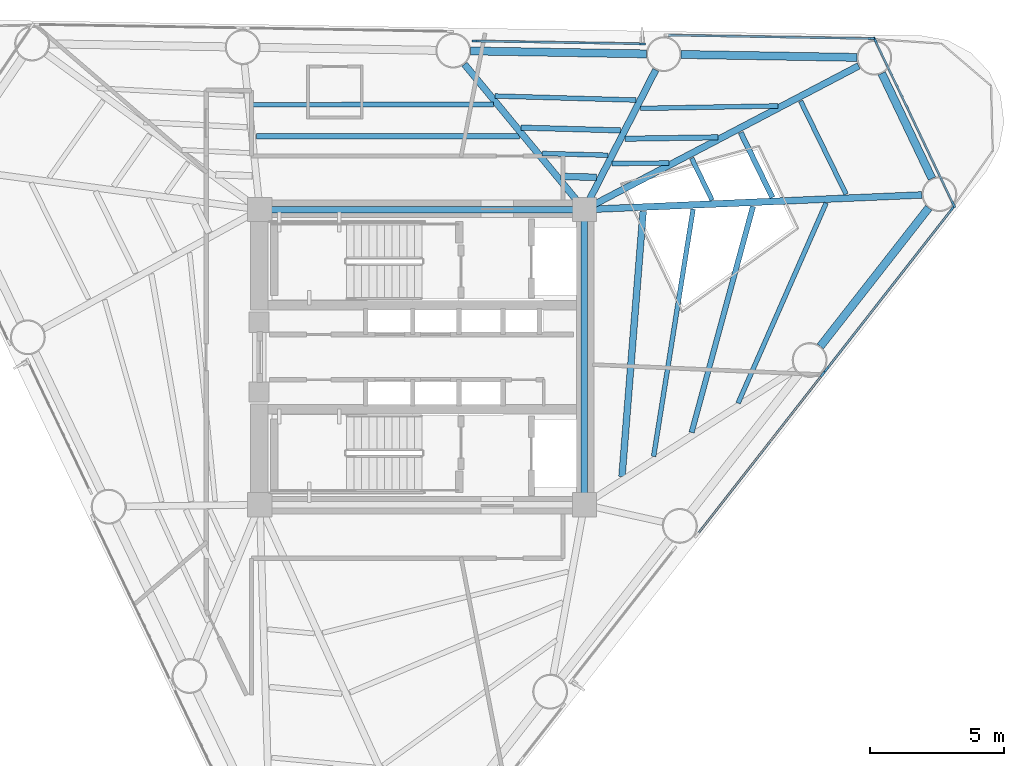
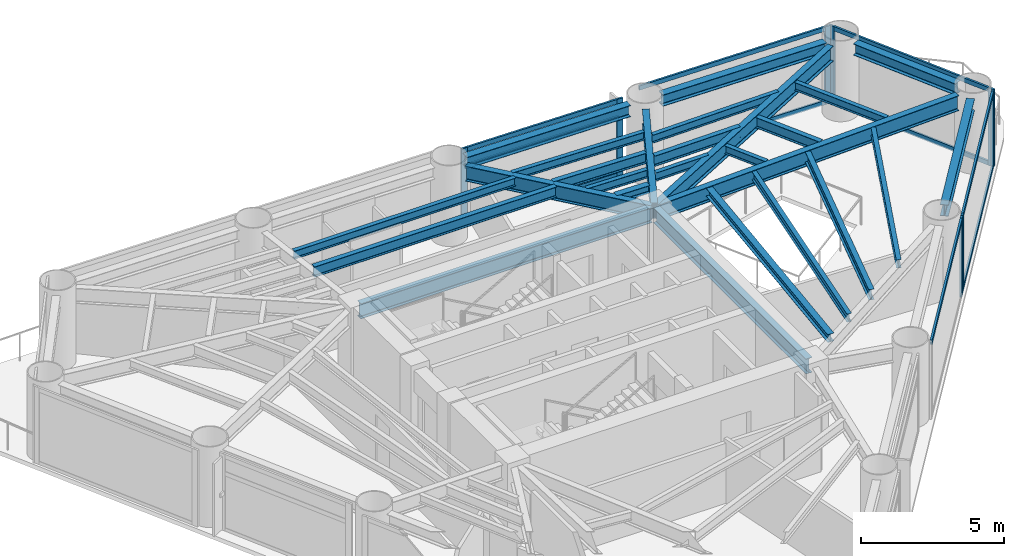
# One storey, part 4 of 11: 26 beams, 18 members, 5 elements without a shape of their own.
"""IFC4 building model written with IfcOpenShell, lengths in metres."""

from ifc_helpers import new_model, si_unit, direction, frame, origin, origin_2d, place, context, subcontext, project, spatial, rectangle, i_section, extrude, source, transform, mapped, material, layer, layer_set, material_profile, profile_set, type_object, element, aggregate, save


model = new_model("IFC4")

# Units and contexts
model_context = context("Model", 3, precision=1e-05, world=origin(), true_north=direction((0.0, 1.0)))
body_context = subcontext(model_context, "Body", "Model", "MODEL_VIEW")
ifc_project = project(units=[si_unit("LENGTHUNIT", "METRE"), si_unit("AREAUNIT", "SQUARE_METRE"), si_unit("VOLUMEUNIT", "CUBIC_METRE"), si_unit("PLANEANGLEUNIT", "RADIAN"), si_unit("MASSUNIT", "GRAM", prefix="KILO")], contexts=[model_context])

# Site, building, storey
site_placement = place(None, origin())
site = spatial("IfcSite", under=ifc_project, at=site_placement, CompositionType="ELEMENT")
building_placement = place(site_placement, origin())
building = spatial("IfcBuilding", under=site, at=building_placement, Name="Yunling Apex Tower", CompositionType="ELEMENT")
storey_placement = place(building_placement, frame((0.0, 0.0, 150.199951171875)))
storey = spatial("IfcBuildingStorey", under=building, at=storey_placement, Name="L37", CompositionType="ELEMENT", Elevation=150.199951171875)

# Beams
ifc_material_1 = material(Name="Steel Q355B", Category="steel")
ifc_material_profile_1 = material_profile(ifc_material_1, i_section(OverallWidth=0.25, OverallDepth=0.64990234375, WebThickness=0.011962890625, FlangeThickness=0.02001953125, FilletRadius=0.02392578125, at=origin_2d()))
ifc_profile_set_1 = profile_set([ifc_material_profile_1], Name="Steel Q355B")
beam_type_1 = type_object("IfcBeamType", Name="BG-PRI-4", PredefinedType="USERDEFINED", material=ifc_profile_set_1)
shared_shape_1 = source(origin(), body_context, "Body", "SweptSolid", [
    extrude(i_section(OverallWidth=0.25, OverallDepth=0.64990234375, WebThickness=0.011962890625, FlangeThickness=0.02001953125, FilletRadius=0.02392578125, at=origin_2d()), origin(), (0.0, 0.0, 1.0), 11.7998046875),
])
beam_1_placement = place(storey_placement, frame((5.89990234375, 5.5, 2.905029296875), z_axis=(-1.0, 0.0, 0.0), x_axis=(0.0, -1.0, 0.0)))
element("IfcBeam", 1, at=beam_1_placement, inside=storey, type_object=beam_type_1, Name="L37 Core Ring Tie Beam 3", ObjectType="GIRDER", PredefinedType="USERDEFINED", context=body_context, shape_type="MappedRepresentation", body=[
    mapped(shared_shape_1, transform((0.0, 0.0, 0.0), scale=1.0)),
])
shared_shape_2 = source(origin(), body_context, "Body", "SweptSolid", [
    extrude(i_section(OverallWidth=0.25, OverallDepth=0.64990234375, WebThickness=0.011962890625, FlangeThickness=0.02001953125, FilletRadius=0.02392578125, at=origin_2d()), origin(), (0.0, 0.0, 1.0), 10.7001953125),
])
beam_2_placement = place(storey_placement, frame((6.050048828125, -5.35009765625, 2.905029296875), z_axis=(0.0, 1.0, 0.0), x_axis=(-1.0, 0.0, 0.0)))
element("IfcBeam", 2, at=beam_2_placement, inside=storey, type_object=beam_type_1, Name="L37 Core Ring Tie Beam 2", ObjectType="GIRDER", PredefinedType="USERDEFINED", context=body_context, shape_type="MappedRepresentation", body=[
    mapped(shared_shape_2, transform((0.0, 0.0, 0.0), scale=1.0)),
])
ifc_material_profile_2 = material_profile(ifc_material_1, i_section(OverallWidth=0.300048828125, OverallDepth=0.489990234375, WebThickness=0.010986328125, FlangeThickness=0.01806640625, FilletRadius=0.02197265625, at=origin_2d()))
ifc_profile_set_2 = profile_set([ifc_material_profile_2], Name="Steel Q355B")
beam_type_2 = type_object("IfcBeamType", Name="BP-SPN-2", PredefinedType="SPANDREL", material=ifc_profile_set_2)
shared_shape_3 = source(origin(), body_context, "Body", "SweptSolid", [
    extrude(i_section(OverallWidth=0.300048828125, OverallDepth=0.489990234375, WebThickness=0.010986328125, FlangeThickness=0.01806640625, FilletRadius=0.02197265625, at=origin_2d()), origin(), (0.0, 0.0, 1.0), 6.562255859375),
])
for number, where, z_axis, x_axis, name in (
    (3, (14.8447265625, 0.400390625, 2.985107421875), (0.616196907529, 0.787592135024, 0.0), (-0.787592135024, 0.616196907529, 0.0), "L37 Perimeter Spandrel Beam 4"),
    (4, (16.214599609375, 11.174560546875, 2.985107421875), (-0.999859845587, 0.016741839275, 0.0), (-0.016741839275, -0.999859845587, 0.0), "L37 Perimeter Spandrel Beam 6"),
):
    element("IfcBeam", number, at=place(storey_placement, frame(where, z_axis=z_axis, x_axis=x_axis)), inside=storey, type_object=beam_type_2, Name=name, PredefinedType="SPANDREL", context=body_context, shape_type="MappedRepresentation", body=[
        mapped(shared_shape_3, transform((0.0, 0.0, 0.0), scale=1.0)),
    ])
shared_shape_4 = source(origin(), body_context, "Body", "SweptSolid", [
    extrude(i_section(OverallWidth=0.300048828125, OverallDepth=0.489990234375, WebThickness=0.010986328125, FlangeThickness=0.01806640625, FilletRadius=0.02197265625, at=origin_2d()), origin(), (0.0, 0.0, 1.0), 6.56201171875),
])
beam_3_placement = place(storey_placement, frame((8.365478515625, 11.305908203125, 2.985107421875), z_axis=(-0.999859211643, 0.016779657083, 0.0), x_axis=(-0.016779657083, -0.999859211643, 0.0)))
element("IfcBeam", 5, at=beam_3_placement, inside=storey, type_object=beam_type_2, Name="L37 Perimeter Spandrel Beam 7", PredefinedType="SPANDREL", context=body_context, shape_type="MappedRepresentation", body=[
    mapped(shared_shape_4, transform((0.0, 0.0, 0.0), scale=1.0)),
])
shared_shape_5 = source(origin(), body_context, "Body", "SweptSolid", [
    extrude(i_section(OverallWidth=0.300048828125, OverallDepth=0.489990234375, WebThickness=0.010986328125, FlangeThickness=0.01806640625, FilletRadius=0.02197265625, at=origin_2d()), origin(), (0.0, 0.0, 1.0), 4.348876953125),
])
beam_4_placement = place(storey_placement, frame((19.0078125, 6.6572265625, 2.985107421875), z_axis=(-0.430473932145, 0.902603010046, 0.0), x_axis=(-0.902603010046, -0.430473932145, 0.0)))
element("IfcBeam", 6, at=beam_4_placement, inside=storey, type_object=beam_type_2, Name="L37 Perimeter Spandrel Beam 5", PredefinedType="SPANDREL", context=body_context, shape_type="MappedRepresentation", body=[
    mapped(shared_shape_5, transform((0.0, 0.0, 0.0), scale=1.0)),
])
shared_shape_6 = source(origin(), body_context, "Body", "SweptSolid", [
    extrude(i_section(OverallWidth=0.25, OverallDepth=0.64990234375, WebThickness=0.011962890625, FlangeThickness=0.02001953125, FilletRadius=0.02392578125, at=origin_2d()), origin(), (0.0, 0.0, 1.0), 5.76904296875),
])
beam_5_placement = place(storey_placement, frame((8.710205078125, 10.709228515625, 2.905029296875), z_axis=(-0.454797867462, -0.890594688819, 0.0), x_axis=(0.890594688819, -0.454797867462, 0.0)))
element("IfcBeam", 7, at=beam_5_placement, inside=storey, type_object=beam_type_1, Name="L37 Radial Primary Girder R07", ObjectType="GIRDER", PredefinedType="USERDEFINED", context=body_context, shape_type="MappedRepresentation", body=[
    mapped(shared_shape_6, transform((0.0, 0.0, 0.0), scale=1.0)),
])
shared_shape_7 = source(origin(), body_context, "Body", "SweptSolid", [
    extrude(i_section(OverallWidth=0.25, OverallDepth=0.64990234375, WebThickness=0.011962890625, FlangeThickness=0.02001953125, FilletRadius=0.02392578125, at=origin_2d()), origin(), (0.0, 0.0, 1.0), 6.9453125),
])
beam_6_placement = place(storey_placement, frame((1.5791015625, 10.919189453125, 2.905029296875), z_axis=(0.636387137961, -0.771369827409, 0.0), x_axis=(0.771369827409, 0.636387137961, 0.0)))
element("IfcBeam", 8, at=beam_6_placement, inside=storey, type_object=beam_type_1, Name="L37 Radial Primary Girder R08", ObjectType="GIRDER", PredefinedType="USERDEFINED", context=body_context, shape_type="MappedRepresentation", body=[
    mapped(shared_shape_7, transform((0.0, 0.0, 0.0), scale=1.0)),
])
ifc_material_profile_3 = material_profile(ifc_material_1, i_section(OverallWidth=0.25, OverallDepth=0.340087890625, WebThickness=0.009033203125, FlangeThickness=0.013916015625, FilletRadius=0.01806640625, at=origin_2d()))
ifc_profile_set_3 = profile_set([ifc_material_profile_3], Name="Steel Q355B")
beam_type_3 = type_object("IfcBeamType", Name="BJ-JST-2", PredefinedType="JOIST", material=ifc_profile_set_3)
shared_shape_8 = source(origin(), body_context, "Body", "SweptSolid", [
    extrude(i_section(OverallWidth=0.25, OverallDepth=0.340087890625, WebThickness=0.009033203125, FlangeThickness=0.013916015625, FilletRadius=0.01806640625, at=origin_2d()), origin(), (0.0, 0.0, 1.0), 1.3173828125),
])
beam_7_placement = place(storey_placement, frame((6.503662109375, 6.705322265625, 3.06005859375), z_axis=(-0.999718560735, 0.023723391875, 0.0), x_axis=(-0.023723391875, -0.999718560735, 0.0)))
element("IfcBeam", 9, at=beam_7_placement, inside=storey, type_object=beam_type_3, Name="L37 Composite Floor Joist BJ2-7", PredefinedType="JOIST", context=body_context, shape_type="MappedRepresentation", body=[
    mapped(shared_shape_8, transform((0.0, 0.0, 0.0), scale=1.0)),
])
ifc_material_profile_4 = material_profile(ifc_material_1, i_section(OverallWidth=0.175048828125, OverallDepth=0.35009765625, WebThickness=0.007080078125, FlangeThickness=0.010986328125, FilletRadius=0.013916015625, at=origin_2d()))
ifc_profile_set_4 = profile_set([ifc_material_profile_4], Name="Steel Q355B")
beam_type_4 = type_object("IfcBeamType", Name="BJ-JST-1", PredefinedType="JOIST", material=ifc_profile_set_4)
shared_shape_9 = source(origin(), body_context, "Body", "SweptSolid", [
    extrude(i_section(OverallWidth=0.175048828125, OverallDepth=0.35009765625, WebThickness=0.007080078125, FlangeThickness=0.010986328125, FilletRadius=0.013916015625, at=origin_2d()), origin(), (0.0, 0.0, 1.0), 8.959228515625),
])
beam_8_placement = place(storey_placement, frame((2.65673828125, 9.4189453125, 3.054931640625), z_axis=(-0.99999980359, -0.000626754107, 0.0), x_axis=(0.000626754107, -0.99999980359, 0.0)))
element("IfcBeam", 10, at=beam_8_placement, inside=storey, type_object=beam_type_4, Name="L37 Composite Floor Joist BJ1-8", PredefinedType="JOIST", context=body_context, shape_type="MappedRepresentation", body=[
    mapped(shared_shape_9, transform((0.0, 0.0, 0.0), scale=1.0)),
])
shared_shape_10 = source(origin(), body_context, "Body", "SweptSolid", [
    extrude(i_section(OverallWidth=0.25, OverallDepth=0.64990234375, WebThickness=0.011962890625, FlangeThickness=0.02001953125, FilletRadius=0.02392578125, at=origin_2d()), origin(), (0.0, 0.0, 1.0), 12.509521484375),
])
beam_9_placement = place(storey_placement, frame((18.627685546875, 6.04736328125, 2.905029296875), z_axis=(-0.999054205726, -0.043482111511, 0.0), x_axis=(0.043482111511, -0.999054205726, 0.0)))
element("IfcBeam", 11, at=beam_9_placement, inside=storey, type_object=beam_type_1, Name="L37 Radial Primary Girder R05", ObjectType="GIRDER", PredefinedType="USERDEFINED", context=body_context, shape_type="MappedRepresentation", body=[
    mapped(shared_shape_10, transform((0.0, 0.0, 0.0), scale=1.0)),
])
shared_shape_11 = source(origin(), body_context, "Body", "SweptSolid", [
    extrude(i_section(OverallWidth=0.25, OverallDepth=0.64990234375, WebThickness=0.011962890625, FlangeThickness=0.02001953125, FilletRadius=0.02392578125, at=origin_2d()), origin(), (0.0, 0.0, 1.0), 11.464599609375),
])
beam_10_placement = place(storey_placement, frame((16.275634765625, 10.8583984375, 2.905029296875), z_axis=(-0.885755663761, -0.464151811496, 0.0), x_axis=(0.464151811496, -0.885755663761, 0.0)))
element("IfcBeam", 12, at=beam_10_placement, inside=storey, type_object=beam_type_1, Name="L37 Radial Primary Girder R06", ObjectType="GIRDER", PredefinedType="USERDEFINED", context=body_context, shape_type="MappedRepresentation", body=[
    mapped(shared_shape_11, transform((0.0, 0.0, 0.0), scale=1.0)),
])
ifc_material_profile_5 = material_profile(ifc_material_1, i_section(OverallWidth=0.199951171875, OverallDepth=0.449951171875, WebThickness=0.009033203125, FlangeThickness=0.013916015625, FilletRadius=0.01806640625, at=origin_2d()))
ifc_profile_set_5 = profile_set([ifc_material_profile_5], Name="Steel Q355B")
beam_type_5 = type_object("IfcBeamType", Name="BS-SEC-3", PredefinedType="BEAM", material=ifc_profile_set_5)
shared_shape_12 = source(origin(), body_context, "Body", "SweptSolid", [
    extrude(i_section(OverallWidth=0.199951171875, OverallDepth=0.449951171875, WebThickness=0.009033203125, FlangeThickness=0.013916015625, FilletRadius=0.01806640625, at=origin_2d()), origin(), (0.0, 0.0, 1.0), 8.731689453125),
])
beam_11_placement = place(storey_placement, frame((10.047607421875, -2.80517578125, 3.005126953125), z_axis=(0.262182766541, 0.965018236578, 0.0), x_axis=(-0.965018236578, 0.262182766541, 0.0)))
element("IfcBeam", 13, at=beam_11_placement, inside=storey, type_object=beam_type_5, Name="L37 Composite Floor Beam BS-4", PredefinedType="BEAM", context=body_context, shape_type="MappedRepresentation", body=[
    mapped(shared_shape_12, transform((0.0, 0.0, 0.0), scale=1.0)),
])
shared_shape_13 = source(origin(), body_context, "Body", "SweptSolid", [
    extrude(i_section(OverallWidth=0.175048828125, OverallDepth=0.35009765625, WebThickness=0.007080078125, FlangeThickness=0.010986328125, FilletRadius=0.013916015625, at=origin_2d()), origin(), (0.0, 0.0, 1.0), 8.1533203125),
])
beam_12_placement = place(storey_placement, frame((11.781005859375, -1.71435546875, 3.054931640625), z_axis=(0.402654320351, 0.915352117113, 0.0), x_axis=(-0.915352117113, 0.402654320351, 0.0)))
element("IfcBeam", 14, at=beam_12_placement, inside=storey, type_object=beam_type_4, Name="L37 Composite Floor Joist BJ1-4", PredefinedType="JOIST", context=body_context, shape_type="MappedRepresentation", body=[
    mapped(shared_shape_13, transform((0.0, 0.0, 0.0), scale=1.0)),
])
shared_shape_14 = source(origin(), body_context, "Body", "SweptSolid", [
    extrude(i_section(OverallWidth=0.175048828125, OverallDepth=0.35009765625, WebThickness=0.007080078125, FlangeThickness=0.010986328125, FilletRadius=0.013916015625, at=origin_2d()), origin(), (0.0, 0.0, 1.0), 9.337158203125),
])
beam_13_placement = place(storey_placement, frame((8.631103515625, -3.70068359375, 3.054931640625), z_axis=(0.157746767397, 0.987479598461, 0.0), x_axis=(-0.987479598461, 0.157746767397, 0.0)))
element("IfcBeam", 15, at=beam_13_placement, inside=storey, type_object=beam_type_4, Name="L37 Composite Floor Joist BJ3-4", PredefinedType="JOIST", context=body_context, shape_type="MappedRepresentation", body=[
    mapped(shared_shape_14, transform((0.0, 0.0, 0.0), scale=1.0)),
])
shared_shape_15 = source(origin(), body_context, "Body", "SweptSolid", [
    extrude(i_section(OverallWidth=0.25, OverallDepth=0.340087890625, WebThickness=0.009033203125, FlangeThickness=0.013916015625, FilletRadius=0.01806640625, at=origin_2d()), origin(), (0.0, 0.0, 1.0), 9.916259765625),
])
beam_14_placement = place(storey_placement, frame((7.4521484375, -4.4482421875, 3.06005859375), z_axis=(0.079621924657, 0.996825134672, 0.0), x_axis=(-0.996825134672, 0.079621924657, 0.0)))
element("IfcBeam", 16, at=beam_14_placement, inside=storey, type_object=beam_type_3, Name="L37 Composite Floor Joist BJ2-4", PredefinedType="JOIST", context=body_context, shape_type="MappedRepresentation", body=[
    mapped(shared_shape_15, transform((0.0, 0.0, 0.0), scale=1.0)),
])
shared_shape_16 = source(origin(), body_context, "Body", "SweptSolid", [
    extrude(i_section(OverallWidth=0.199951171875, OverallDepth=0.449951171875, WebThickness=0.009033203125, FlangeThickness=0.013916015625, FilletRadius=0.01806640625, at=origin_2d()), origin(), (0.0, 0.0, 1.0), 2.694091796875),
])
beam_15_placement = place(storey_placement, frame((13.05859375, 5.951904296875, 3.005126953125), z_axis=(-0.43834685503, 0.898805893775, 0.0), x_axis=(-0.898805893775, -0.43834685503, 0.0)))
element("IfcBeam", 17, at=beam_15_placement, inside=storey, type_object=beam_type_5, Name="L37 Composite Floor Beam BS-5", PredefinedType="BEAM", context=body_context, shape_type="MappedRepresentation", body=[
    mapped(shared_shape_16, transform((0.0, 0.0, 0.0), scale=1.0)),
])
shared_shape_17 = source(origin(), body_context, "Body", "SweptSolid", [
    extrude(i_section(OverallWidth=0.175048828125, OverallDepth=0.35009765625, WebThickness=0.007080078125, FlangeThickness=0.010986328125, FilletRadius=0.013916015625, at=origin_2d()), origin(), (0.0, 0.0, 1.0), 3.864501953125),
])
beam_16_placement = place(storey_placement, frame((15.80810546875, 6.071533203125, 3.054931640625), z_axis=(-0.438931380823, 0.898520585701, 0.0), x_axis=(-0.898520585701, -0.438931380823, 0.0)))
element("IfcBeam", 18, at=beam_16_placement, inside=storey, type_object=beam_type_4, Name="L37 Composite Floor Joist BJ1-5", PredefinedType="JOIST", context=body_context, shape_type="MappedRepresentation", body=[
    mapped(shared_shape_17, transform((0.0, 0.0, 0.0), scale=1.0)),
])
shared_shape_18 = source(origin(), body_context, "Body", "SweptSolid", [
    extrude(i_section(OverallWidth=0.175048828125, OverallDepth=0.35009765625, WebThickness=0.007080078125, FlangeThickness=0.010986328125, FilletRadius=0.013916015625, at=origin_2d()), origin(), (0.0, 0.0, 1.0), 1.736083984375),
])
beam_17_placement = place(storey_placement, frame((10.80908203125, 5.85400390625, 3.054931640625), z_axis=(-0.437342782369, 0.89929488529, 0.0), x_axis=(-0.89929488529, -0.437342782369, 0.0)))
element("IfcBeam", 19, at=beam_17_placement, inside=storey, type_object=beam_type_4, Name="L37 Composite Floor Joist BJ3-5", PredefinedType="JOIST", context=body_context, shape_type="MappedRepresentation", body=[
    mapped(shared_shape_18, transform((0.0, 0.0, 0.0), scale=1.0)),
])
shared_shape_19 = source(origin(), body_context, "Body", "SweptSolid", [
    extrude(i_section(OverallWidth=0.199951171875, OverallDepth=0.449951171875, WebThickness=0.009033203125, FlangeThickness=0.013916015625, FilletRadius=0.01806640625, at=origin_2d()), origin(), (0.0, 0.0, 1.0), 3.480712890625),
])
beam_18_placement = place(storey_placement, frame((11.038330078125, 8.1953125, 3.005126953125), z_axis=(-0.999885219454, -0.015150838822, 0.0), x_axis=(0.015150838822, -0.999885219454, 0.0)))
element("IfcBeam", 20, at=beam_18_placement, inside=storey, type_object=beam_type_5, Name="L37 Composite Floor Beam BS-6", PredefinedType="BEAM", context=body_context, shape_type="MappedRepresentation", body=[
    mapped(shared_shape_19, transform((0.0, 0.0, 0.0), scale=1.0)),
])
shared_shape_20 = source(origin(), body_context, "Body", "SweptSolid", [
    extrude(i_section(OverallWidth=0.175048828125, OverallDepth=0.35009765625, WebThickness=0.007080078125, FlangeThickness=0.010986328125, FilletRadius=0.013916015625, at=origin_2d()), origin(), (0.0, 0.0, 1.0), 5.137451171875),
])
beam_19_placement = place(storey_placement, frame((13.272216796875, 9.365478515625, 3.054931640625), z_axis=(-0.999839506787, -0.017915375193, 0.0), x_axis=(0.017915375193, -0.999839506787, 0.0)))
element("IfcBeam", 21, at=beam_19_placement, inside=storey, type_object=beam_type_4, Name="L37 Composite Floor Joist BJ1-6", PredefinedType="JOIST", context=body_context, shape_type="MappedRepresentation", body=[
    mapped(shared_shape_20, transform((0.0, 0.0, 0.0), scale=1.0)),
])
shared_shape_21 = source(origin(), body_context, "Body", "SweptSolid", [
    extrude(i_section(OverallWidth=0.175048828125, OverallDepth=0.35009765625, WebThickness=0.007080078125, FlangeThickness=0.010986328125, FilletRadius=0.013916015625, at=origin_2d()), origin(), (0.0, 0.0, 1.0), 2.12451171875),
])
beam_20_placement = place(storey_placement, frame((9.21044921875, 7.23828125, 3.054931640625), z_axis=(-0.999950026727, -0.00999720206, 0.0), x_axis=(0.00999720206, -0.999950026727, 0.0)))
element("IfcBeam", 22, at=beam_20_placement, inside=storey, type_object=beam_type_4, Name="L37 Composite Floor Joist BJ3-6", PredefinedType="JOIST", context=body_context, shape_type="MappedRepresentation", body=[
    mapped(shared_shape_21, transform((0.0, 0.0, 0.0), scale=1.0)),
])
shared_shape_22 = source(origin(), body_context, "Body", "SweptSolid", [
    extrude(i_section(OverallWidth=0.199951171875, OverallDepth=0.449951171875, WebThickness=0.009033203125, FlangeThickness=0.013916015625, FilletRadius=0.01806640625, at=origin_2d()), origin(), (0.0, 0.0, 1.0), 3.71337890625),
])
beam_21_placement = place(storey_placement, frame((7.395751953125, 8.452880859375, 3.005126953125), z_axis=(-0.999604010385, 0.028139339414, 0.0), x_axis=(-0.028139339414, -0.999604010385, 0.0)))
element("IfcBeam", 23, at=beam_21_placement, inside=storey, type_object=beam_type_5, Name="L37 Composite Floor Beam BS-7", PredefinedType="BEAM", context=body_context, shape_type="MappedRepresentation", body=[
    mapped(shared_shape_22, transform((0.0, 0.0, 0.0), scale=1.0)),
])
shared_shape_23 = source(origin(), body_context, "Body", "SweptSolid", [
    extrude(i_section(OverallWidth=0.175048828125, OverallDepth=0.35009765625, WebThickness=0.007080078125, FlangeThickness=0.010986328125, FilletRadius=0.013916015625, at=origin_2d()), origin(), (0.0, 0.0, 1.0), 5.263671875),
])
beam_22_placement = place(storey_placement, frame((7.972900390625, 9.58349609375, 3.054931640625), z_axis=(-0.999581079743, 0.028942443217, 0.0), x_axis=(-0.028942443217, -0.999581079743, 0.0)))
element("IfcBeam", 24, at=beam_22_placement, inside=storey, type_object=beam_type_4, Name="L37 Composite Floor Joist BJ1-7", PredefinedType="JOIST", context=body_context, shape_type="MappedRepresentation", body=[
    mapped(shared_shape_23, transform((0.0, 0.0, 0.0), scale=1.0)),
])
shared_shape_24 = source(origin(), body_context, "Body", "SweptSolid", [
    extrude(i_section(OverallWidth=0.175048828125, OverallDepth=0.35009765625, WebThickness=0.007080078125, FlangeThickness=0.010986328125, FilletRadius=0.013916015625, at=origin_2d()), origin(), (0.0, 0.0, 1.0), 2.445068359375),
])
beam_23_placement = place(storey_placement, frame((6.923583984375, 7.52783203125, 3.054931640625), z_axis=(-0.999641861249, 0.02676096482, 0.0), x_axis=(-0.02676096482, -0.999641861249, 0.0)))
element("IfcBeam", 25, at=beam_23_placement, inside=storey, type_object=beam_type_4, Name="L37 Composite Floor Joist BJ3-7", PredefinedType="JOIST", context=body_context, shape_type="MappedRepresentation", body=[
    mapped(shared_shape_24, transform((0.0, 0.0, 0.0), scale=1.0)),
])
shared_shape_25 = source(origin(), body_context, "Body", "SweptSolid", [
    extrude(i_section(OverallWidth=0.199951171875, OverallDepth=0.449951171875, WebThickness=0.009033203125, FlangeThickness=0.013916015625, FilletRadius=0.01806640625, at=origin_2d()), origin(), (0.0, 0.0, 1.0), 9.80810546875),
])
beam_24_placement = place(storey_placement, frame((3.629150390625, 8.240478515625, 3.005126953125), z_axis=(-0.999999992255, 0.000124458604, 0.0), x_axis=(-0.000124458604, -0.999999992255, 0.0)))
element("IfcBeam", 26, at=beam_24_placement, inside=storey, type_object=beam_type_5, Name="L37 Composite Floor Beam BS-8", PredefinedType="BEAM", context=body_context, shape_type="MappedRepresentation", body=[
    mapped(shared_shape_25, transform((0.0, 0.0, 0.0), scale=1.0)),
])

# Curtain wall, member
ifc_material_2 = material(Name="Bronze anodised aluminium", Category="aluminium")
ifc_layer = layer(ifc_material_2, 0.239990234375)
ifc_layer_set = layer_set([ifc_layer], Name="Bronze anodised aluminium")
curtain_wall_type = type_object("IfcCurtainWallType", Name="CW-SYS-3", PredefinedType="NOTDEFINED", material=ifc_layer_set)
curtain_wall_1_placement = place(storey_placement, origin())
curtain_wall_1 = element("IfcCurtainWall", 27, at=curtain_wall_1_placement, inside=storey, type_object=curtain_wall_type, Name="CW-L37-F1-B3", PredefinedType="NOTDEFINED")
ifc_material_profile_6 = material_profile(ifc_material_2, rectangle(XDim=0.080078125, YDim=0.18505859375, at=origin_2d()))
ifc_profile_set_6 = profile_set([ifc_material_profile_6], Name="Bronze anodised aluminium")
member_type_1 = type_object("IfcMemberType", Name="CW-TRN-3", PredefinedType="USERDEFINED", material=ifc_profile_set_6)
shared_shape_26 = source(origin(), body_context, "Body", "SweptSolid", [
    extrude(rectangle(XDim=0.080078125, YDim=0.18505859375, at=origin_2d()), origin(), (0.0, 0.0, 1.0), 7.5380859375),
])
member_1_placement = place(storey_placement, frame((10.265869140625, -6.603759765625, 3.18994140625), z_axis=(0.616213940974, 0.787578808088, 0.0), x_axis=(-0.787578808088, 0.616213940974, 0.0)))
member_1 = element("IfcMember", 28, at=member_1_placement, type_object=member_type_1, Name="CW-SYS-3 transom 1.2", ObjectType="TRANSOM", PredefinedType="USERDEFINED", context=body_context, shape_type="MappedRepresentation", body=[
    mapped(shared_shape_26, transform((0.0, 0.0, 0.0), scale=1.0)),
])

# Curtain wall, members
curtain_wall_2_placement = place(storey_placement, origin())
curtain_wall_2 = element("IfcCurtainWall", 29, at=curtain_wall_2_placement, inside=storey, type_object=curtain_wall_type, Name="CW-L37-F1-B4", PredefinedType="NOTDEFINED")
member_2_placement = place(storey_placement, frame((15.10302734375, -0.421142578125, 0.0400390625), z_axis=(0.616213940974, 0.787578808088, 0.0), x_axis=(-0.787578808088, 0.616213940974, 0.0)))
member_2 = element("IfcMember", 30, at=member_2_placement, type_object=member_type_1, Name="CW-SYS-3 transom 1.1", ObjectType="TRANSOM", PredefinedType="USERDEFINED", context=body_context, shape_type="MappedRepresentation", body=[
    mapped(shared_shape_26, transform((0.0, 0.0, 0.0), scale=1.0)),
])
member_3_placement = place(storey_placement, frame((15.10302734375, -0.421142578125, 3.18994140625), z_axis=(0.616213940974, 0.787578808088, 0.0), x_axis=(-0.787578808088, 0.616213940974, 0.0)))
member_3 = element("IfcMember", 31, at=member_3_placement, type_object=member_type_1, Name="CW-SYS-3 transom 1.2", ObjectType="TRANSOM", PredefinedType="USERDEFINED", context=body_context, shape_type="MappedRepresentation", body=[
    mapped(shared_shape_26, transform((0.0, 0.0, 0.0), scale=1.0)),
])

curtain_wall_3_placement = place(storey_placement, origin())
curtain_wall_3 = element("IfcCurtainWall", 32, at=curtain_wall_3_placement, inside=storey, type_object=curtain_wall_type, Name="CW-L37-F2-B1", PredefinedType="NOTDEFINED")
member_4_placement = place(storey_placement, frame((16.71435546875, 11.876220703125, 0.0400390625), z_axis=(-0.999859805743, 0.016744218696, 0.0), x_axis=(-0.016744218696, -0.999859805743, 0.0)))
member_4 = element("IfcMember", 33, at=member_4_placement, type_object=member_type_1, Name="CW-SYS-3 transom 1.1", ObjectType="TRANSOM", PredefinedType="USERDEFINED", context=body_context, shape_type="MappedRepresentation", body=[
    mapped(shared_shape_26, transform((0.0, 0.0, 0.0), scale=1.0)),
])
member_5_placement = place(storey_placement, frame((16.71435546875, 11.876220703125, 3.18994140625), z_axis=(-0.999859805743, 0.016744218696, 0.0), x_axis=(-0.016744218696, -0.999859805743, 0.0)))
member_5 = element("IfcMember", 34, at=member_5_placement, type_object=member_type_1, Name="CW-SYS-3 transom 1.2", ObjectType="TRANSOM", PredefinedType="USERDEFINED", context=body_context, shape_type="MappedRepresentation", body=[
    mapped(shared_shape_26, transform((0.0, 0.0, 0.0), scale=1.0)),
])

curtain_wall_4_placement = place(storey_placement, origin())
curtain_wall_4 = element("IfcCurtainWall", 35, at=curtain_wall_4_placement, inside=storey, type_object=curtain_wall_type, Name="CW-L37-CRN1", PredefinedType="NOTDEFINED")
shared_shape_27 = source(origin(), body_context, "Body", "SweptSolid", [
    extrude(rectangle(XDim=0.080078125, YDim=0.18505859375, at=origin_2d()), origin(), (0.0, 0.0, 1.0), 6.719970703125),
])
member_6_placement = place(storey_placement, frame((19.7958984375, 5.719482421875, 0.0400390625), z_axis=(-0.430511684766, 0.902585003908, 0.0), x_axis=(-0.902585003908, -0.430511684766, 0.0)))
member_6 = element("IfcMember", 36, at=member_6_placement, type_object=member_type_1, Name="CW-SYS-3 transom 1.1", ObjectType="TRANSOM", PredefinedType="USERDEFINED", context=body_context, shape_type="MappedRepresentation", body=[
    mapped(shared_shape_27, transform((0.0, 0.0, 0.0), scale=1.0)),
])
member_7_placement = place(storey_placement, frame((19.7958984375, 5.719482421875, 3.18994140625), z_axis=(-0.430511684766, 0.902585003908, 0.0), x_axis=(-0.902585003908, -0.430511684766, 0.0)))
member_7 = element("IfcMember", 37, at=member_7_placement, type_object=member_type_1, Name="CW-SYS-3 transom 1.2", ObjectType="TRANSOM", PredefinedType="USERDEFINED", context=body_context, shape_type="MappedRepresentation", body=[
    mapped(shared_shape_27, transform((0.0, 0.0, 0.0), scale=1.0)),
])

curtain_wall_5_placement = place(storey_placement, origin())
curtain_wall_5 = element("IfcCurtainWall", 38, at=curtain_wall_5_placement, inside=storey, type_object=curtain_wall_type, Name="CW-L37-F2-B2", PredefinedType="NOTDEFINED")
shared_shape_28 = source(origin(), body_context, "Body", "SweptSolid", [
    extrude(rectangle(XDim=0.080078125, YDim=0.18505859375, at=origin_2d()), origin(), (0.0, 0.0, 1.0), 6.158447265625),
])
member_8_placement = place(storey_placement, frame((8.169921875, 11.679443359375, 0.0400390625), z_axis=(-0.99985938407, 0.016769379464, 0.0), x_axis=(-0.016769379464, -0.99985938407, 0.0)))
member_8 = element("IfcMember", 39, at=member_8_placement, type_object=member_type_1, Name="CW-SYS-3 transom 1.1", ObjectType="TRANSOM", PredefinedType="USERDEFINED", context=body_context, shape_type="MappedRepresentation", body=[
    mapped(shared_shape_28, transform((0.0, 0.0, 0.0), scale=1.0)),
])
member_9_placement = place(storey_placement, frame((8.169921875, 11.679443359375, 2.454833984375), z_axis=(-0.99985938407, 0.016769379464, 0.0), x_axis=(-0.016769379464, -0.99985938407, 0.0)))
member_9 = element("IfcMember", 40, at=member_9_placement, type_object=member_type_1, Name="CW-SYS-3 transom 1.2", ObjectType="TRANSOM", PredefinedType="USERDEFINED", context=body_context, shape_type="MappedRepresentation", body=[
    mapped(shared_shape_28, transform((0.0, 0.0, 0.0), scale=1.0)),
])
member_10_placement = place(storey_placement, frame((8.169921875, 11.679443359375, 3.18994140625), z_axis=(-0.99985938407, 0.016769379464, 0.0), x_axis=(-0.016769379464, -0.99985938407, 0.0)))
member_10 = element("IfcMember", 41, at=member_10_placement, type_object=member_type_1, Name="CW-SYS-3 transom 1.3", ObjectType="TRANSOM", PredefinedType="USERDEFINED", context=body_context, shape_type="MappedRepresentation", body=[
    mapped(shared_shape_28, transform((0.0, 0.0, 0.0), scale=1.0)),
])

# Member
ifc_material_profile_7 = material_profile(ifc_material_2, rectangle(XDim=0.080078125, YDim=0.239990234375, at=origin_2d()))
ifc_profile_set_7 = profile_set([ifc_material_profile_7], Name="Bronze anodised aluminium")
member_type_2 = type_object("IfcMemberType", Name="CW-MUL-3", PredefinedType="MULLION", material=ifc_profile_set_7)
shared_shape_29 = source(origin(), body_context, "Body", "SweptSolid", [
    extrude(rectangle(XDim=0.080078125, YDim=0.239990234375, at=origin_2d()), origin(), (0.0, 0.0, 1.0), 3.330078125),
])
member_11_placement = place(storey_placement, frame((14.93310546875, -0.638671875, -0.050048828125), z_axis=(0.0, 0.0, 1.0), x_axis=(-0.787583748686, 0.616207626377, 0.0)))
member_11 = element("IfcMember", 42, at=member_11_placement, type_object=member_type_2, Name="CW-SYS-3 mullion 2", PredefinedType="MULLION", context=body_context, shape_type="MappedRepresentation", body=[
    mapped(shared_shape_29, transform((0.0, 0.0, 0.0), scale=1.0)),
])

aggregate(curtain_wall_1, [member_11, member_1])

member_12_placement = place(storey_placement, frame((15.0810546875, -0.44970703125, -0.050048828125), z_axis=(0.0, 0.0, 1.0), x_axis=(-0.787583748686, 0.616207626377, 0.0)))
member_12 = element("IfcMember", 43, at=member_12_placement, type_object=member_type_2, Name="CW-SYS-3 mullion 1", PredefinedType="MULLION", context=body_context, shape_type="MappedRepresentation", body=[
    mapped(shared_shape_29, transform((0.0, 0.0, 0.0), scale=1.0)),
])

member_13_placement = place(storey_placement, frame((19.770263671875, 5.5439453125, -0.050048828125), z_axis=(0.0, 0.0, 1.0), x_axis=(-0.787583748686, 0.616207626377, 0.0)))
member_13 = element("IfcMember", 44, at=member_13_placement, type_object=member_type_2, Name="CW-SYS-3 mullion 2", PredefinedType="MULLION", context=body_context, shape_type="MappedRepresentation", body=[
    mapped(shared_shape_29, transform((0.0, 0.0, 0.0), scale=1.0)),
])

aggregate(curtain_wall_2, [member_12, member_13, member_2, member_3])

member_14_placement = place(storey_placement, frame((19.811279296875, 5.68701171875, -0.050048828125), z_axis=(0.0, 0.0, 1.0), x_axis=(-0.902581673296, -0.430518667458, 0.0)))
member_14 = element("IfcMember", 45, at=member_14_placement, type_object=member_type_2, Name="CW-SYS-3 mullion 1", PredefinedType="MULLION", context=body_context, shape_type="MappedRepresentation", body=[
    mapped(shared_shape_29, transform((0.0, 0.0, 0.0), scale=1.0)),
])

member_15_placement = place(storey_placement, frame((16.88720703125, 11.8173828125, -0.050048828125), z_axis=(0.0, 0.0, 1.0), x_axis=(-0.902581673296, -0.430518667458, 0.0)))
member_15 = element("IfcMember", 46, at=member_15_placement, type_object=member_type_2, Name="CW-SYS-3 mullion 2", PredefinedType="MULLION", context=body_context, shape_type="MappedRepresentation", body=[
    mapped(shared_shape_29, transform((0.0, 0.0, 0.0), scale=1.0)),
])

aggregate(curtain_wall_4, [member_14, member_15, member_6, member_7])

member_16_placement = place(storey_placement, frame((16.75048828125, 11.87548828125, -0.050048828125), z_axis=(0.0, 0.0, 1.0), x_axis=(-0.016761635477, -0.99985951392, 0.0)))
member_16 = element("IfcMember", 47, at=member_16_placement, type_object=member_type_2, Name="CW-SYS-3 mullion 1", PredefinedType="MULLION", context=body_context, shape_type="MappedRepresentation", body=[
    mapped(shared_shape_29, transform((0.0, 0.0, 0.0), scale=1.0)),
])

aggregate(curtain_wall_3, [member_16, member_4, member_5])

member_17_placement = place(storey_placement, frame((8.205810546875, 11.6787109375, -0.050048828125), z_axis=(0.0, 0.0, 1.0), x_axis=(-0.016766539529, -0.999859431696, 0.0)))
member_17 = element("IfcMember", 48, at=member_17_placement, type_object=member_type_2, Name="CW-SYS-3 mullion 1", PredefinedType="MULLION", context=body_context, shape_type="MappedRepresentation", body=[
    mapped(shared_shape_29, transform((0.0, 0.0, 0.0), scale=1.0)),
])

member_18_placement = place(storey_placement, frame((1.9765625, 11.783203125, -0.050048828125), z_axis=(0.0, 0.0, 1.0), x_axis=(-0.016766539529, -0.999859431696, 0.0)))
member_18 = element("IfcMember", 49, at=member_18_placement, type_object=member_type_2, Name="CW-SYS-3 mullion 2", PredefinedType="MULLION", context=body_context, shape_type="MappedRepresentation", body=[
    mapped(shared_shape_29, transform((0.0, 0.0, 0.0), scale=1.0)),
])

aggregate(curtain_wall_5, [member_17, member_18, member_8, member_9, member_10])

save(model, "model.ifc")
